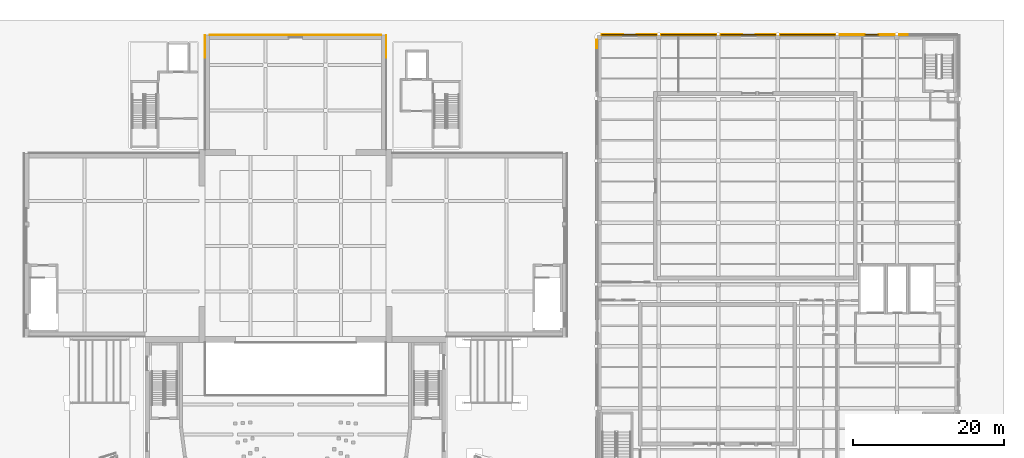
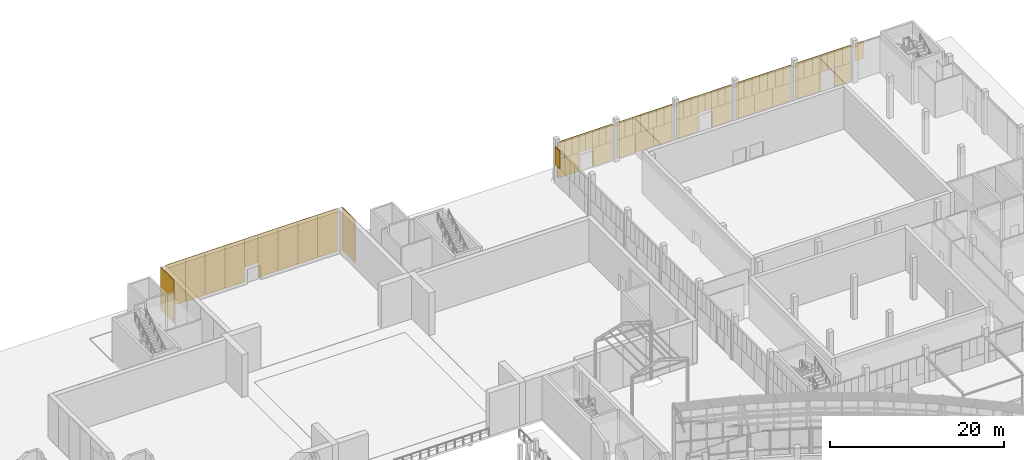
# One storey, part 152 of 155: 62 coverings.
"""IFC4 building model written with IfcOpenShell, lengths in metres."""

import ifcopenshell
import ifcopenshell.guid

model = None  # the IFC model being written
_history = None  # IfcOwnerHistory: only IFC2X3 demands one
_inside = {}  # id of a spatial element -> (the spatial element, [elements in it])
_under = {}  # id of a project, library or spatial element -> (it, [spatial elements below it])
_declared = {}  # id of a project -> (the project, [libraries it declares])
_typed = {}  # id of a type object -> (the type object, [elements of that type])
_made_of = {}  # id of a material, layer set ... -> (it, [elements and type objects made of it])


def new_model(schema):
    """Start an empty IFC model of exactly this schema.

    Asked for "IFC4X3", IfcOpenShell would pick the latest addendum, in which some entities
    have other attributes; the version numbers below select the first issue.
    IFC2X3 requires an IfcOwnerHistory on every rooted entity: one is made here for all.
    """
    global model, _history
    if schema == "IFC4X3":
        model = ifcopenshell.file(schema_version=(4, 3, 0, 0))
    else:
        model = ifcopenshell.file(schema=schema)
    _inside.clear()
    _under.clear()
    _declared.clear()
    _typed.clear()
    _made_of.clear()
    _history = None
    if model.schema == "IFC2X3":
        org = make("IfcOrganization", Name="unknown")
        user = make(
            "IfcPersonAndOrganization",
            ThePerson=make("IfcPerson", FamilyName="unknown"),
            TheOrganization=org,
        )
        app = make(
            "IfcApplication",
            ApplicationDeveloper=org,
            Version="unknown",
            ApplicationFullName="unknown",
            ApplicationIdentifier="unknown",
        )
        _history = make(
            "IfcOwnerHistory",
            OwningUser=user,
            OwningApplication=app,
            ChangeAction="ADDED",
            CreationDate=0,
        )
    return model


def make(cls, **values):
    """One entity of the class cls with the attributes given. An attribute that is None is left unset."""
    return model.create_entity(
        cls, **{name: value for name, value in values.items() if value is not None}
    )


def rooted(cls, **values):
    """An entity with a GlobalId (a new one), such as an element, a storey or a relation."""
    return make(cls, GlobalId=ifcopenshell.guid.new(), OwnerHistory=_history, **values)


def si_unit(unit_type, name, prefix=None):
    """IfcSIUnit, for example si_unit("LENGTHUNIT", "METRE", prefix="MILLI")."""
    return make("IfcSIUnit", UnitType=unit_type, Prefix=prefix, Name=name)


def assignment(units):
    """IfcUnitAssignment: the units of a project."""
    return None if units is None else make("IfcUnitAssignment", Units=units)


def point(xyz):
    """IfcCartesianPoint."""
    return None if xyz is None else make("IfcCartesianPoint", Coordinates=xyz)


def direction(xyz):
    """IfcDirection."""
    return None if xyz is None else make("IfcDirection", DirectionRatios=xyz)


def frame(location, z_axis=None, x_axis=None):
    """IfcAxis2Placement3D, a coordinate frame: its origin and axes. An axis left out is left unset."""
    return make(
        "IfcAxis2Placement3D",
        Location=point(location),
        Axis=direction(z_axis),
        RefDirection=direction(x_axis),
    )


def frame_2d(location, x_axis=None):
    """IfcAxis2Placement2D, a coordinate frame in the plane: its origin and x axis."""
    return make(
        "IfcAxis2Placement2D", Location=point(location), RefDirection=direction(x_axis)
    )


def origin():
    """The frame at (0, 0, 0) with its axes left unset."""
    return frame((0.0, 0.0, 0.0))


def origin_2d():
    """The frame at (0, 0) in the plane with its x axis left unset."""
    return frame_2d((0.0, 0.0))


def place(relative_to, where):
    """IfcLocalPlacement: puts the frame where relative to a parent placement (None: the world)."""
    return make(
        "IfcLocalPlacement", PlacementRelTo=relative_to, RelativePlacement=where
    )


def context(
    kind, dimensions, precision=None, world=None, true_north=None, identifier=None
):
    """IfcGeometricRepresentationContext, for example the 3D "Model" context."""
    return make(
        "IfcGeometricRepresentationContext",
        ContextIdentifier=identifier,
        ContextType=kind,
        CoordinateSpaceDimension=dimensions,
        Precision=precision,
        WorldCoordinateSystem=world,
        TrueNorth=true_north,
    )


def subcontext(parent, identifier, kind, view, scale=None):
    """IfcGeometricRepresentationSubContext, for example "Body" below "Model"."""
    return make(
        "IfcGeometricRepresentationSubContext",
        ContextIdentifier=identifier,
        ContextType=kind,
        ParentContext=parent,
        TargetScale=scale,
        TargetView=view,
    )


def project(units=None, contexts=None):
    """IfcProject with its units and contexts."""
    return rooted(
        "IfcProject",
        Name="project",
        RepresentationContexts=contexts,
        UnitsInContext=assignment(units),
    )


def spatial(cls, under=None, at=None, **own):
    """A site, building, storey or space (cls), placed at a placement, below another one or the project."""
    s = rooted(cls, ObjectPlacement=at, **own)
    if under is not None:
        _under.setdefault(under.id(), (under, []))[1].append(s)
    return s


def profile(cls, at=None, kind="AREA", **sizes):
    """A parametric profile (cls). Its sizes go by their IFC names, for example OverallWidth=200.0."""
    return make(cls, ProfileType=kind, Position=at, **sizes)


def rectangle(**sizes):
    """IfcRectangleProfileDef."""
    return profile("IfcRectangleProfileDef", **sizes)


def extrude(swept, where, along, depth):
    """IfcExtrudedAreaSolid: the profile swept, set in the frame where, extruded along a direction by depth."""
    return make(
        "IfcExtrudedAreaSolid",
        SweptArea=swept,
        Position=where,
        ExtrudedDirection=direction(along),
        Depth=depth,
    )


def shape(context_of_items, identifier, shape_type, items):
    """IfcShapeRepresentation: the items that make up one representation, for example the "Body"."""
    return make(
        "IfcShapeRepresentation",
        ContextOfItems=context_of_items,
        RepresentationIdentifier=identifier,
        RepresentationType=shape_type,
        Items=items,
    )


def material(Name=None, Category=None):
    """IfcMaterial."""
    return make("IfcMaterial", Name=Name, Category=Category)


def layer(
    of_material, thickness, ventilated=None, Name=None, Category=None, Priority=None
):
    """IfcMaterialLayer: one layer of a wall or slab, of a material (None: an air gap)."""
    return make(
        "IfcMaterialLayer",
        Material=of_material,
        LayerThickness=thickness,
        IsVentilated=ventilated,
        Name=Name,
        Category=Category,
        Priority=Priority,
    )


def layer_set(layers, Name=None):
    """IfcMaterialLayerSet."""
    return make("IfcMaterialLayerSet", MaterialLayers=layers, LayerSetName=Name)


def made_of(thing, what):
    """Note that an element or type object is made of a material, layer set ...; save() writes the relation."""
    if what is not None:
        _made_of.setdefault(what.id(), (what, []))[1].append(thing)
    return thing


def type_object(cls, material=None, **own):
    """A type object (cls), such as IfcWallType, which elements share."""
    return made_of(rooted(cls, **own), material)


def element(
    cls,
    number,
    at=None,
    inside=None,
    cuts=None,
    type_object=None,
    material=None,
    context=None,
    identifier="Body",
    shape_type=None,
    held_by="IfcProductDefinitionShape",
    body=None,
    shapes=None,
    **own,
):
    """One element of the class cls, such as IfcWall. Its Tag is "e" and its number.

    at: its placement. inside: the storey or other place that contains it. cuts: it is an
    opening in that element (IfcRelVoidsElement). A single representation is given by context,
    identifier, shape_type and body (its items); several are given by shapes. held_by: the class
    of the entity that holds the representations. save() writes the other relations.
    """
    e = rooted(cls, Tag="e%d" % number, ObjectPlacement=at, **own)
    if body is not None:
        shapes = [shape(context, identifier, shape_type, body)]
    if shapes is not None:
        e.Representation = make(held_by, Representations=shapes)
    if inside is not None:
        _inside.setdefault(inside.id(), (inside, []))[1].append(e)
    if cuts is not None:
        rooted(
            "IfcRelVoidsElement", RelatingBuildingElement=cuts, RelatedOpeningElement=e
        )
    if type_object is not None:
        _typed.setdefault(type_object.id(), (type_object, []))[1].append(e)
    return made_of(e, material)


def aggregate(whole, parts):
    """IfcRelAggregates: a whole, such as a stair, and the parts it consists of."""
    return rooted("IfcRelAggregates", RelatingObject=whole, RelatedObjects=parts)


def save(model, path):
    """Write the relations noted so far, then the file.

    IfcRelAggregates (storeys below a building ...), IfcRelContainedInSpatialStructure (elements
    in a storey), IfcRelDefinesByType, IfcRelAssociatesMaterial and IfcRelDeclares: one each for
    every whole, place, type object, material and project.
    """
    for whole, parts in _under.values():
        aggregate(whole, parts)
    for where, things in _inside.values():
        rooted(
            "IfcRelContainedInSpatialStructure",
            RelatedElements=things,
            RelatingStructure=where,
        )
    for kind, things in _typed.values():
        rooted("IfcRelDefinesByType", RelatedObjects=things, RelatingType=kind)
    for what, things in _made_of.values():
        rooted("IfcRelAssociatesMaterial", RelatedObjects=things, RelatingMaterial=what)
    for by, libraries in _declared.values():
        rooted("IfcRelDeclares", RelatingContext=by, RelatedDefinitions=libraries)
    model.write(path)


model = new_model("IFC4")

# Units and contexts
model_context = context("Model", 3, precision=1e-05, world=origin(), true_north=direction((0.0, 1.0)))
body_context = subcontext(model_context, "Body", "Model", "MODEL_VIEW")
ifc_project = project(units=[si_unit("LENGTHUNIT", "METRE"), si_unit("AREAUNIT", "SQUARE_METRE"), si_unit("VOLUMEUNIT", "CUBIC_METRE"), si_unit("PLANEANGLEUNIT", "RADIAN"), si_unit("MASSUNIT", "GRAM", prefix="KILO")], contexts=[model_context])

# Site, building, storey
site_placement = place(None, origin())
site = spatial("IfcSite", under=ifc_project, at=site_placement, CompositionType="ELEMENT")
building_placement = place(site_placement, origin())
building = spatial("IfcBuilding", under=site, at=building_placement, Name="Lunette Opera House", CompositionType="ELEMENT")
storey_placement = place(building_placement, origin())
storey = spatial("IfcBuildingStorey", under=building, at=storey_placement, Name="L00", CompositionType="ELEMENT", Elevation=0.0)

# Coverings
ifc_material_1 = material(Name="Clinker brick", Category="masonry")
ifc_layer_1 = layer(ifc_material_1, 0.114990234375)
ifc_layer_set_1 = layer_set([ifc_layer_1], Name="Clinker brick")
covering_type_1 = type_object("IfcCoveringType", Name="CLINKER CLADDING 115", PredefinedType="CLADDING", material=ifc_layer_set_1)
covering_1_placement = place(storey_placement, frame((174.425048828125, 136.05810546875, 0.0), z_axis=(0.0, 0.0, 1.0), x_axis=(-1.0, 0.0, 0.0)))
element("IfcCovering", 1, at=covering_1_placement, inside=storey, type_object=covering_type_1, Name="Clinker Cladding 115 WB L00", PredefinedType="CLADDING", context=body_context, shape_type="SweptSolid", body=[
    extrude(rectangle(XDim=2.14990234375, YDim=0.114990234375, at=origin_2d()), origin(), (0.0, 0.0, 1.0), 2.60009765625),
])
covering_2_placement = place(storey_placement, frame((169.875, 136.05810546875, 0.0), z_axis=(0.0, 0.0, 1.0), x_axis=(-1.0, 0.0, 0.0)))
element("IfcCovering", 2, at=covering_2_placement, inside=storey, type_object=covering_type_1, Name="Clinker Cladding 115 WB L00", PredefinedType="CLADDING", context=body_context, shape_type="SweptSolid", body=[
    extrude(rectangle(XDim=3.35009765625, YDim=0.114990234375, at=origin_2d()), origin(), (0.0, 0.0, 1.0), 2.60009765625),
])
for number, where, z_axis, x_axis, name in (
    (3, (166.383056640625, 136.05810546875, 0.0), (0.0, 0.0, 1.0), (-1.0, 0.0, 0.0), "Clinker Cladding 115 WB L00"),
    (4, (163.949951171875, 136.05810546875, 0.0), (0.0, 0.0, 1.0), (-1.0, 0.0, 0.0), "Clinker Cladding 115 WB L00"),
    (5, (161.51708984375, 136.05810546875, 0.0), (0.0, 0.0, 1.0), (-1.0, 0.0, 0.0), "Clinker Cladding 115 WB L00"),
):
    element("IfcCovering", number, at=place(storey_placement, frame(where, z_axis=z_axis, x_axis=x_axis)), inside=storey, type_object=covering_type_1, Name=name, PredefinedType="CLADDING", context=body_context, shape_type="SweptSolid", body=[
        extrude(rectangle(XDim=2.43310546875, YDim=0.114990234375, at=origin_2d()), origin(), (0.0, 0.0, 1.0), 2.60009765625),
    ])
covering_3_placement = place(storey_placement, frame((158.375, 136.05810546875, 0.0), z_axis=(0.0, 0.0, 1.0), x_axis=(-1.0, 0.0, 0.0)))
element("IfcCovering", 6, at=covering_3_placement, inside=storey, type_object=covering_type_1, Name="Clinker Cladding 115 WB L00", PredefinedType="CLADDING", context=body_context, shape_type="SweptSolid", body=[
    extrude(rectangle(XDim=2.64990234375, YDim=0.114990234375, at=origin_2d()), origin(), (0.0, 0.0, 1.0), 2.60009765625),
])
covering_4_placement = place(storey_placement, frame((153.824951171875, 136.05810546875, 0.0), z_axis=(0.0, 0.0, 1.0), x_axis=(-1.0, 0.0, 0.0)))
element("IfcCovering", 7, at=covering_4_placement, inside=storey, type_object=covering_type_1, Name="Clinker Cladding 115 WB L00", PredefinedType="CLADDING", context=body_context, shape_type="SweptSolid", body=[
    extrude(rectangle(XDim=2.85009765625, YDim=0.114990234375, at=origin_2d()), origin(), (0.0, 0.0, 1.0), 2.60009765625),
])
for number, where, z_axis, x_axis, name in (
    (8, (150.5830078125, 136.05810546875, 0.0), (0.0, 0.0, 1.0), (-1.0, 0.0, 0.0), "Clinker Cladding 115 WB L00"),
    (9, (148.14990234375, 136.05810546875, 0.0), (0.0, 0.0, 1.0), (-1.0, 0.0, 0.0), "Clinker Cladding 115 WB L00"),
    (10, (145.717041015625, 136.05810546875, 0.0), (0.0, 0.0, 1.0), (-1.0, 0.0, 0.0), "Clinker Cladding 115 WB L00"),
):
    element("IfcCovering", number, at=place(storey_placement, frame(where, z_axis=z_axis, x_axis=x_axis)), inside=storey, type_object=covering_type_1, Name=name, PredefinedType="CLADDING", context=body_context, shape_type="SweptSolid", body=[
        extrude(rectangle(XDim=2.43310546875, YDim=0.114990234375, at=origin_2d()), origin(), (0.0, 0.0, 1.0), 2.60009765625),
    ])
covering_5_placement = place(storey_placement, frame((142.574951171875, 136.05810546875, 0.0), z_axis=(0.0, 0.0, 1.0), x_axis=(-1.0, 0.0, 0.0)))
element("IfcCovering", 11, at=covering_5_placement, inside=storey, type_object=covering_type_1, Name="Clinker Cladding 115 WB L00", PredefinedType="CLADDING", context=body_context, shape_type="SweptSolid", body=[
    extrude(rectangle(XDim=2.64990234375, YDim=0.114990234375, at=origin_2d()), origin(), (0.0, 0.0, 1.0), 2.60009765625),
])
covering_6_placement = place(storey_placement, frame((138.02490234375, 136.05810546875, 0.0), z_axis=(0.0, 0.0, 1.0), x_axis=(-1.0, 0.0, 0.0)))
element("IfcCovering", 12, at=covering_6_placement, inside=storey, type_object=covering_type_1, Name="Clinker Cladding 115 WB L00", PredefinedType="CLADDING", context=body_context, shape_type="SweptSolid", body=[
    extrude(rectangle(XDim=2.85009765625, YDim=0.114990234375, at=origin_2d()), origin(), (0.0, 0.0, 1.0), 2.60009765625),
])
ifc_material_2 = material(Name="Dark grey aluminium cassette", Category="aluminium")
ifc_layer_2 = layer(ifc_material_2, 0.080078125)
ifc_layer_set_2 = layer_set([ifc_layer_2], Name="Dark grey aluminium cassette")
covering_type_2 = type_object("IfcCoveringType", Name="DARK METAL CASSETTE 80", PredefinedType="CLADDING", material=ifc_layer_set_2)
covering_7_placement = place(storey_placement, frame((176.64990234375, 136.0400390625, 2.60009765625), z_axis=(0.0, 0.0, 1.0), x_axis=(-1.0, 0.0, 0.0)))
element("IfcCovering", 13, at=covering_7_placement, inside=storey, type_object=covering_type_2, Name="Dark Metal Cassette 80 WK L00", PredefinedType="CLADDING", context=body_context, shape_type="SweptSolid", body=[
    extrude(rectangle(XDim=1.10009765625, YDim=0.080078125, at=origin_2d()), origin(), (0.0, 0.0, 1.0), 2.449951171875),
])
for number, where, z_axis, x_axis, name in (
    (14, (174.962890625, 136.0400390625, 2.60009765625), (0.0, 0.0, 1.0), (-1.0, 0.0, 0.0), "Dark Metal Cassette 80 WK L00"),
    (15, (173.886962890625, 136.0400390625, 2.60009765625), (0.0, 0.0, 1.0), (-1.0, 0.0, 0.0), "Dark Metal Cassette 80 WK L00"),
):
    element("IfcCovering", number, at=place(storey_placement, frame(where, z_axis=z_axis, x_axis=x_axis)), inside=storey, type_object=covering_type_2, Name=name, PredefinedType="CLADDING", context=body_context, shape_type="SweptSolid", body=[
        extrude(rectangle(XDim=1.074951171875, YDim=0.080078125, at=origin_2d()), origin(), (0.0, 0.0, 1.0), 2.449951171875),
    ])
for number, where, z_axis, x_axis, name in (
    (16, (172.89990234375, 136.0400390625, 2.60009765625), (0.0, 0.0, 1.0), (-1.0, 0.0, 0.0), "Dark Metal Cassette 80 WK L00"),
    (17, (172.0, 136.0400390625, 2.60009765625), (0.0, 0.0, 1.0), (-1.0, 0.0, 0.0), "Dark Metal Cassette 80 WK L00"),
):
    element("IfcCovering", number, at=place(storey_placement, frame(where, z_axis=z_axis, x_axis=x_axis)), inside=storey, type_object=covering_type_2, Name=name, PredefinedType="CLADDING", context=body_context, shape_type="SweptSolid", body=[
        extrude(rectangle(XDim=0.89990234375, YDim=0.080078125, at=origin_2d()), origin(), (0.0, 0.0, 1.0), 2.449951171875),
    ])
for number, where, z_axis, x_axis, name in (
    (18, (170.991943359375, 136.0400390625, 2.60009765625), (0.0, 0.0, 1.0), (-1.0, 0.0, 0.0), "Dark Metal Cassette 80 WK L00"),
    (19, (169.875, 136.0400390625, 2.60009765625), (0.0, 0.0, 1.0), (-1.0, 0.0, 0.0), "Dark Metal Cassette 80 WK L00"),
    (20, (168.758056640625, 136.0400390625, 2.60009765625), (0.0, 0.0, 1.0), (-1.0, 0.0, 0.0), "Dark Metal Cassette 80 WK L00"),
):
    element("IfcCovering", number, at=place(storey_placement, frame(where, z_axis=z_axis, x_axis=x_axis)), inside=storey, type_object=covering_type_2, Name=name, PredefinedType="CLADDING", context=body_context, shape_type="SweptSolid", body=[
        extrude(rectangle(XDim=1.116943359375, YDim=0.080078125, at=origin_2d()), origin(), (0.0, 0.0, 1.0), 2.449951171875),
    ])
for number, where, z_axis, x_axis, name in (
    (21, (167.0791015625, 136.0400390625, 2.60009765625), (0.0, 0.0, 1.0), (-1.0, 0.0, 0.0), "Dark Metal Cassette 80 WK L00"),
    (22, (166.035888671875, 136.0400390625, 2.60009765625), (0.0, 0.0, 1.0), (-1.0, 0.0, 0.0), "Dark Metal Cassette 80 WK L00"),
    (23, (164.992919921875, 136.0400390625, 2.60009765625), (0.0, 0.0, 1.0), (-1.0, 0.0, 0.0), "Dark Metal Cassette 80 WK L00"),
    (24, (163.949951171875, 136.0400390625, 2.60009765625), (0.0, 0.0, 1.0), (-1.0, 0.0, 0.0), "Dark Metal Cassette 80 WK L00"),
    (25, (162.906982421875, 136.0400390625, 2.60009765625), (0.0, 0.0, 1.0), (-1.0, 0.0, 0.0), "Dark Metal Cassette 80 WK L00"),
    (26, (161.864013671875, 136.0400390625, 2.60009765625), (0.0, 0.0, 1.0), (-1.0, 0.0, 0.0), "Dark Metal Cassette 80 WK L00"),
    (27, (160.821044921875, 136.0400390625, 2.60009765625), (0.0, 0.0, 1.0), (-1.0, 0.0, 0.0), "Dark Metal Cassette 80 WK L00"),
):
    element("IfcCovering", number, at=place(storey_placement, frame(where, z_axis=z_axis, x_axis=x_axis)), inside=storey, type_object=covering_type_2, Name=name, PredefinedType="CLADDING", context=body_context, shape_type="SweptSolid", body=[
        extrude(rectangle(XDim=1.04296875, YDim=0.080078125, at=origin_2d()), origin(), (0.0, 0.0, 1.0), 2.449951171875),
    ])
for number, where, z_axis, x_axis, name in (
    (28, (159.258056640625, 136.0400390625, 2.60009765625), (0.0, 0.0, 1.0), (-1.0, 0.0, 0.0), "Dark Metal Cassette 80 WK L00"),
    (29, (158.375, 136.0400390625, 2.60009765625), (0.0, 0.0, 1.0), (-1.0, 0.0, 0.0), "Dark Metal Cassette 80 WK L00"),
    (30, (157.491943359375, 136.0400390625, 2.60009765625), (0.0, 0.0, 1.0), (-1.0, 0.0, 0.0), "Dark Metal Cassette 80 WK L00"),
):
    element("IfcCovering", number, at=place(storey_placement, frame(where, z_axis=z_axis, x_axis=x_axis)), inside=storey, type_object=covering_type_2, Name=name, PredefinedType="CLADDING", context=body_context, shape_type="SweptSolid", body=[
        extrude(rectangle(XDim=0.883056640625, YDim=0.080078125, at=origin_2d()), origin(), (0.0, 0.0, 1.0), 2.449951171875),
    ])
for number, where, z_axis, x_axis, name in (
    (31, (156.60009765625, 136.0400390625, 2.60009765625), (0.0, 0.0, 1.0), (-1.0, 0.0, 0.0), "Dark Metal Cassette 80 WK L00"),
    (32, (155.699951171875, 136.0400390625, 2.60009765625), (0.0, 0.0, 1.0), (-1.0, 0.0, 0.0), "Dark Metal Cassette 80 WK L00"),
):
    element("IfcCovering", number, at=place(storey_placement, frame(where, z_axis=z_axis, x_axis=x_axis)), inside=storey, type_object=covering_type_2, Name=name, PredefinedType="CLADDING", context=body_context, shape_type="SweptSolid", body=[
        extrude(rectangle(XDim=0.89990234375, YDim=0.080078125, at=origin_2d()), origin(), (0.0, 0.0, 1.0), 2.449951171875),
    ])
for number, where, z_axis, x_axis, name in (
    (33, (154.77490234375, 136.0400390625, 2.60009765625), (0.0, 0.0, 1.0), (-1.0, 0.0, 0.0), "Dark Metal Cassette 80 WK L00"),
    (34, (153.824951171875, 136.0400390625, 2.60009765625), (0.0, 0.0, 1.0), (-1.0, 0.0, 0.0), "Dark Metal Cassette 80 WK L00"),
    (35, (152.875, 136.0400390625, 2.60009765625), (0.0, 0.0, 1.0), (-1.0, 0.0, 0.0), "Dark Metal Cassette 80 WK L00"),
):
    element("IfcCovering", number, at=place(storey_placement, frame(where, z_axis=z_axis, x_axis=x_axis)), inside=storey, type_object=covering_type_2, Name=name, PredefinedType="CLADDING", context=body_context, shape_type="SweptSolid", body=[
        extrude(rectangle(XDim=0.949951171875, YDim=0.080078125, at=origin_2d()), origin(), (0.0, 0.0, 1.0), 2.449951171875),
    ])
for number, where, z_axis, x_axis, name in (
    (36, (151.279052734375, 136.0400390625, 2.60009765625), (0.0, 0.0, 1.0), (-1.0, 0.0, 0.0), "Dark Metal Cassette 80 WK L00"),
    (37, (150.236083984375, 136.0400390625, 2.60009765625), (0.0, 0.0, 1.0), (-1.0, 0.0, 0.0), "Dark Metal Cassette 80 WK L00"),
    (38, (149.193115234375, 136.0400390625, 2.60009765625), (0.0, 0.0, 1.0), (-1.0, 0.0, 0.0), "Dark Metal Cassette 80 WK L00"),
    (39, (148.14990234375, 136.0400390625, 2.60009765625), (0.0, 0.0, 1.0), (-1.0, 0.0, 0.0), "Dark Metal Cassette 80 WK L00"),
    (40, (147.10693359375, 136.0400390625, 2.60009765625), (0.0, 0.0, 1.0), (-1.0, 0.0, 0.0), "Dark Metal Cassette 80 WK L00"),
    (41, (146.06396484375, 136.0400390625, 2.60009765625), (0.0, 0.0, 1.0), (-1.0, 0.0, 0.0), "Dark Metal Cassette 80 WK L00"),
    (42, (145.02099609375, 136.0400390625, 2.60009765625), (0.0, 0.0, 1.0), (-1.0, 0.0, 0.0), "Dark Metal Cassette 80 WK L00"),
):
    element("IfcCovering", number, at=place(storey_placement, frame(where, z_axis=z_axis, x_axis=x_axis)), inside=storey, type_object=covering_type_2, Name=name, PredefinedType="CLADDING", context=body_context, shape_type="SweptSolid", body=[
        extrude(rectangle(XDim=1.04296875, YDim=0.080078125, at=origin_2d()), origin(), (0.0, 0.0, 1.0), 2.449951171875),
    ])
for number, where, z_axis, x_axis, name in (
    (43, (143.4580078125, 136.0400390625, 2.60009765625), (0.0, 0.0, 1.0), (-1.0, 0.0, 0.0), "Dark Metal Cassette 80 WK L00"),
    (44, (142.574951171875, 136.0400390625, 2.60009765625), (0.0, 0.0, 1.0), (-1.0, 0.0, 0.0), "Dark Metal Cassette 80 WK L00"),
    (45, (141.69189453125, 136.0400390625, 2.60009765625), (0.0, 0.0, 1.0), (-1.0, 0.0, 0.0), "Dark Metal Cassette 80 WK L00"),
):
    element("IfcCovering", number, at=place(storey_placement, frame(where, z_axis=z_axis, x_axis=x_axis)), inside=storey, type_object=covering_type_2, Name=name, PredefinedType="CLADDING", context=body_context, shape_type="SweptSolid", body=[
        extrude(rectangle(XDim=0.883056640625, YDim=0.080078125, at=origin_2d()), origin(), (0.0, 0.0, 1.0), 2.449951171875),
    ])
for number, where, z_axis, x_axis, name in (
    (46, (140.800048828125, 136.0400390625, 2.60009765625), (0.0, 0.0, 1.0), (-1.0, 0.0, 0.0), "Dark Metal Cassette 80 WK L00"),
    (47, (139.89990234375, 136.0400390625, 2.60009765625), (0.0, 0.0, 1.0), (-1.0, 0.0, 0.0), "Dark Metal Cassette 80 WK L00"),
):
    element("IfcCovering", number, at=place(storey_placement, frame(where, z_axis=z_axis, x_axis=x_axis)), inside=storey, type_object=covering_type_2, Name=name, PredefinedType="CLADDING", context=body_context, shape_type="SweptSolid", body=[
        extrude(rectangle(XDim=0.89990234375, YDim=0.080078125, at=origin_2d()), origin(), (0.0, 0.0, 1.0), 2.449951171875),
    ])
for number, where, z_axis, x_axis, name in (
    (48, (138.97509765625, 136.0400390625, 2.60009765625), (0.0, 0.0, 1.0), (-1.0, 0.0, 0.0), "Dark Metal Cassette 80 WK L00"),
    (49, (138.02490234375, 136.0400390625, 2.60009765625), (0.0, 0.0, 1.0), (-1.0, 0.0, 0.0), "Dark Metal Cassette 80 WK L00"),
    (50, (137.074951171875, 136.0400390625, 2.60009765625), (0.0, 0.0, 1.0), (-1.0, 0.0, 0.0), "Dark Metal Cassette 80 WK L00"),
):
    element("IfcCovering", number, at=place(storey_placement, frame(where, z_axis=z_axis, x_axis=x_axis)), inside=storey, type_object=covering_type_2, Name=name, PredefinedType="CLADDING", context=body_context, shape_type="SweptSolid", body=[
        extrude(rectangle(XDim=0.949951171875, YDim=0.080078125, at=origin_2d()), origin(), (0.0, 0.0, 1.0), 2.449951171875),
    ])
covering_8_placement = place(storey_placement, frame((135.9599609375, 134.8310546875, 2.60009765625), z_axis=(0.0, 0.0, 1.0), x_axis=(0.0, -1.0, 0.0)))
element("IfcCovering", 51, at=covering_8_placement, inside=storey, type_object=covering_type_2, Name="Dark Metal Cassette 80 WK L00", PredefinedType="CLADDING", context=body_context, shape_type="SweptSolid", body=[
    extrude(rectangle(XDim=1.137939453125, YDim=0.080078125, at=origin_2d()), origin(), (0.0, 0.0, 1.0), 2.449951171875),
])
ifc_material_3 = material(Name="Aluminium standing seam cladding", Category="aluminium")
ifc_layer_3 = layer(ifc_material_3, 0.06005859375)
ifc_layer_set_3 = layer_set([ifc_layer_3], Name="Aluminium standing seam cladding")
covering_type_3 = type_object("IfcCoveringType", Name="STANDING SEAM CLADDING 60", PredefinedType="CLADDING", material=ifc_layer_set_3)
for number, where, z_axis, x_axis, name in (
    (52, (83.969970703125, 134.47998046875, 0.0), (0.0, 0.0, 1.0), (0.0, 1.0, 0.0), "Standing seam cladding SR-W-1 L00 04"),
    (53, (108.030029296875, 134.47998046875, 0.0), (0.0, 0.0, 1.0), (0.0, 1.0, 0.0), "Standing seam cladding SR-E-1 L00 04"),
):
    element("IfcCovering", number, at=place(storey_placement, frame(where, z_axis=z_axis, x_axis=x_axis)), inside=storey, type_object=covering_type_3, Name=name, PredefinedType="CLADDING", context=body_context, shape_type="SweptSolid", body=[
        extrude(rectangle(XDim=3.0400390625, YDim=0.06005859375, at=origin_2d()), origin(), (0.0, 0.0, 1.0), 6.0),
    ])
for number, where, z_axis, x_axis, name in (
    (54, (85.912109375, 136.030029296875, 0.0), (0.0, 0.0, 1.0), (1.0, 0.0, 0.0), "Standing seam cladding SR-N-1 L00 00"),
    (55, (88.537109375, 136.030029296875, 0.0), (0.0, 0.0, 1.0), (1.0, 0.0, 0.0), "Standing seam cladding SR-N-1 L00 01"),
    (56, (91.162109375, 136.030029296875, 0.0), (0.0, 0.0, 1.0), (1.0, 0.0, 0.0), "Standing seam cladding SR-N-1 L00 02"),
    (57, (93.787109375, 136.030029296875, 0.0), (0.0, 0.0, 1.0), (1.0, 0.0, 0.0), "Standing seam cladding SR-N-1 L00 03"),
):
    element("IfcCovering", number, at=place(storey_placement, frame(where, z_axis=z_axis, x_axis=x_axis)), inside=storey, type_object=covering_type_3, Name=name, PredefinedType="CLADDING", context=body_context, shape_type="SweptSolid", body=[
        extrude(rectangle(XDim=2.625, YDim=0.06005859375, at=origin_2d()), origin(), (0.0, 0.0, 1.0), 6.0),
    ])
covering_9_placement = place(storey_placement, frame((96.0, 136.030029296875, 2.10009765625), z_axis=(0.0, 0.0, 1.0), x_axis=(1.0, 0.0, 0.0)))
element("IfcCovering", 58, at=covering_9_placement, inside=storey, type_object=covering_type_3, Name="Standing seam cladding SR-N-1 L00 10", PredefinedType="CLADDING", context=body_context, shape_type="SweptSolid", body=[
    extrude(rectangle(XDim=1.800048828125, YDim=0.06005859375, at=origin_2d()), origin(), (0.0, 0.0, 1.0), 3.89990234375),
])
for number, where, z_axis, x_axis, name in (
    (59, (98.212890625, 136.030029296875, 0.0), (0.0, 0.0, 1.0), (1.0, 0.0, 0.0), "Standing seam cladding SR-N-1 L00 20"),
    (60, (100.837890625, 136.030029296875, 0.0), (0.0, 0.0, 1.0), (1.0, 0.0, 0.0), "Standing seam cladding SR-N-1 L00 21"),
    (61, (103.462890625, 136.030029296875, 0.0), (0.0, 0.0, 1.0), (1.0, 0.0, 0.0), "Standing seam cladding SR-N-1 L00 22"),
    (62, (106.087890625, 136.030029296875, 0.0), (0.0, 0.0, 1.0), (1.0, 0.0, 0.0), "Standing seam cladding SR-N-1 L00 23"),
):
    element("IfcCovering", number, at=place(storey_placement, frame(where, z_axis=z_axis, x_axis=x_axis)), inside=storey, type_object=covering_type_3, Name=name, PredefinedType="CLADDING", context=body_context, shape_type="SweptSolid", body=[
        extrude(rectangle(XDim=2.625, YDim=0.06005859375, at=origin_2d()), origin(), (0.0, 0.0, 1.0), 6.0),
    ])

save(model, "model.ifc")
